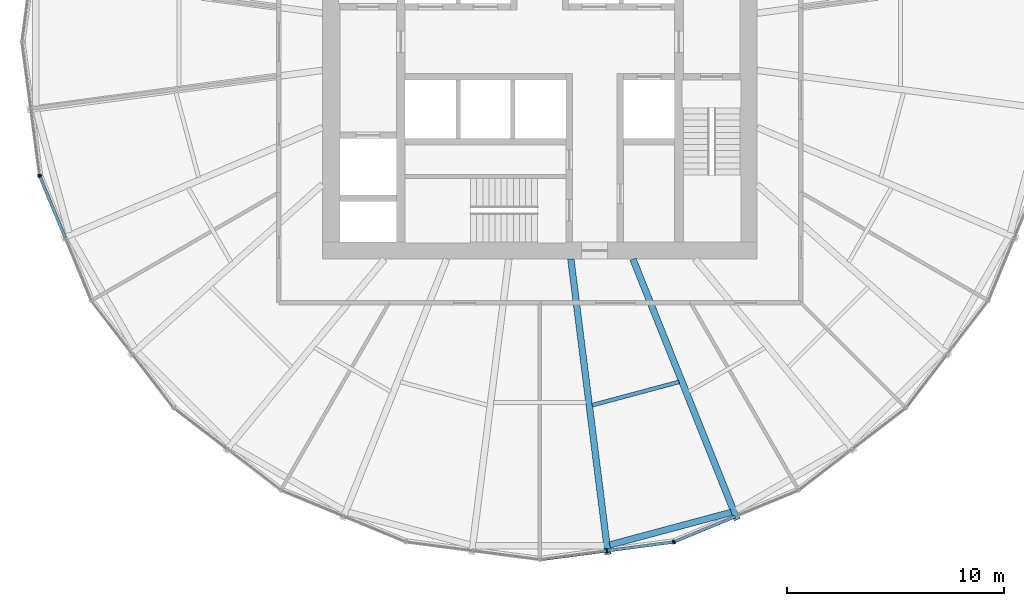
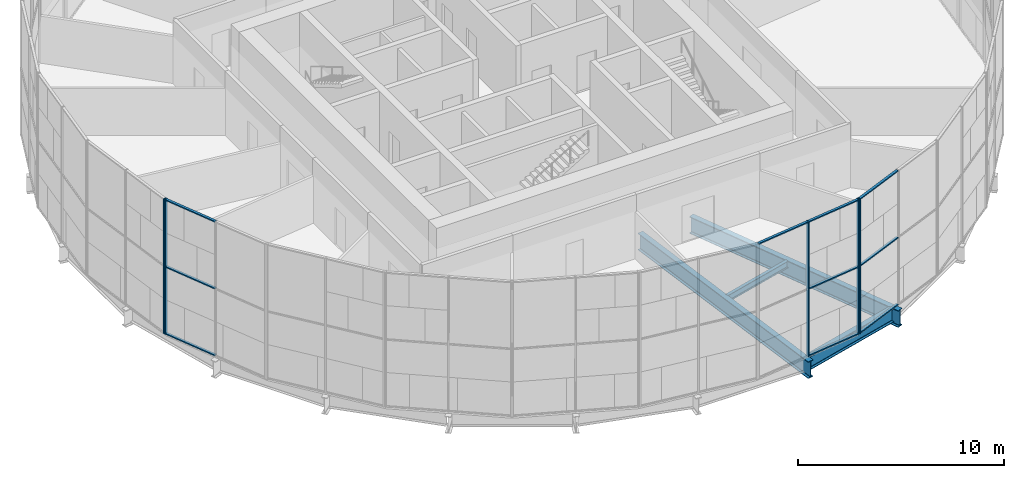
# One storey, part 2 of 18: 15 members, 4 beams, 4 elements without a shape of their own.
"""IFC4 building model written with IfcOpenShell, lengths in metres."""

from ifc_helpers import new_model, si_unit, direction, frame, origin, origin_2d, place, context, subcontext, project, spatial, rectangle, i_section, extrude, material, material_profile, profile_set, type_object, element, aggregate, save


model = new_model("IFC4")

# Units and contexts
model_context = context("Model", 3, precision=1e-05, world=origin(), true_north=direction((0.0, 1.0)))
body_context = subcontext(model_context, "Body", "Model", "MODEL_VIEW")
ifc_project = project(units=[si_unit("LENGTHUNIT", "METRE"), si_unit("AREAUNIT", "SQUARE_METRE"), si_unit("VOLUMEUNIT", "CUBIC_METRE"), si_unit("PLANEANGLEUNIT", "RADIAN"), si_unit("MASSUNIT", "GRAM", prefix="KILO")], contexts=[model_context])

# Site, building, storey
site_placement = place(None, origin())
site = spatial("IfcSite", under=ifc_project, at=site_placement, CompositionType="ELEMENT")
building_placement = place(site_placement, origin())
building = spatial("IfcBuilding", under=site, at=building_placement, Name="Golbaran Civic Tower", CompositionType="ELEMENT")
storey_placement = place(building_placement, frame((0.0, 0.0, 61.0)))
storey = spatial("IfcBuildingStorey", under=building, at=storey_placement, Name="L14", CompositionType="ELEMENT", Elevation=61.0)

# Beams
ifc_material_1 = material(Name="Steel S355", Category="steel")
ifc_material_profile_1 = material_profile(ifc_material_1, i_section(OverallWidth=0.300048828125, OverallDepth=0.800048828125, WebThickness=0.017578125, FlangeThickness=0.032958984375, FilletRadius=0.030029296875, at=origin_2d()), Name="HEB 800")
ifc_profile_set_1 = profile_set([ifc_material_profile_1], Name="Steel S355")
beam_type_1 = type_object("IfcBeamType", Name="EDGE BEAM HEB 800", PredefinedType="BEAM", material=ifc_profile_set_1)
beam_1_placement = place(storey_placement, frame((3.215576171875, -23.144287109375, -0.60009765625), z_axis=(0.965827642387, 0.259185194795, 0.0), x_axis=(-0.259185194795, 0.965827642387, 0.0)))
element("IfcBeam", 1, at=beam_1_placement, inside=storey, type_object=beam_type_1, Name="Edge beam 277.57 L14", PredefinedType="BEAM", context=body_context, shape_type="SweptSolid", body=[
    extrude(i_section(OverallWidth=0.300048828125, OverallDepth=0.800048828125, WebThickness=0.017578125, FlangeThickness=0.032958984375, FilletRadius=0.030029296875, at=origin_2d()), origin(), (0.0, 0.0, 1.0), 5.787353515625),
])
ifc_material_profile_2 = material_profile(ifc_material_1, i_section(OverallWidth=0.179931640625, OverallDepth=0.39990234375, WebThickness=0.008544921875, FlangeThickness=0.013427734375, FilletRadius=0.02099609375, at=origin_2d()), Name="IPE 400")
ifc_profile_set_2 = profile_set([ifc_material_profile_2], Name="Steel S355")
beam_type_2 = type_object("IfcBeamType", Name="FLOOR INFILL BEAM IPE 400", PredefinedType="BEAM", material=ifc_profile_set_2)
beam_2_placement = place(storey_placement, frame((2.40576171875, -16.716796875, -0.39990234375), z_axis=(0.965921990313, 0.258833360735, 0.0), x_axis=(-0.258833360735, 0.965921990313, 0.0)))
element("IfcBeam", 2, at=beam_2_placement, inside=storey, type_object=beam_type_2, Name="Infill beam 285.00 L14", PredefinedType="BEAM", context=body_context, shape_type="SweptSolid", body=[
    extrude(i_section(OverallWidth=0.179931640625, OverallDepth=0.39990234375, WebThickness=0.008544921875, FlangeThickness=0.013427734375, FilletRadius=0.02099609375, at=origin_2d()), origin(), (0.0, 0.0, 1.0), 4.139892578125),
])

# Curtain wall, member
ifc_material_2 = material(Name="Aluminium and glass", Category="aluminium")
curtain_wall_type = type_object("IfcCurtainWallType", Name="INNER SKIN CURTAIN WALL", PredefinedType="NOTDEFINED", material=ifc_material_2)
curtain_wall_1_placement = place(storey_placement, origin())
curtain_wall_1 = element("IfcCurtainWall", 3, at=curtain_wall_1_placement, inside=storey, type_object=curtain_wall_type, Name="Inner skin L14 facet 13 CW1", ObjectType="INNER SKIN", PredefinedType="USERDEFINED")
ifc_material_3 = material(Name="Aluminium", Category="aluminium")
ifc_material_profile_3 = material_profile(ifc_material_3, rectangle(XDim=0.179931640625, YDim=0.06494140625, at=origin_2d()), Name="INNER SKIN CURTAIN WALL MULLION")
ifc_profile_set_3 = profile_set([ifc_material_profile_3], Name="Aluminium")
member_type_1 = type_object("IfcMemberType", Name="INNER SKIN CURTAIN WALL MULLION", PredefinedType="MULLION", material=ifc_profile_set_3)
member_1_placement = place(storey_placement, frame((-23.009765625, -6.132080078125, 0.0), z_axis=(0.0, 0.0, 1.0), x_axis=(0.991444861378, 0.130526192185, 0.0)))
member_1 = element("IfcMember", 4, at=member_1_placement, type_object=member_type_1, Name="CW1 mullion 3", PredefinedType="MULLION", context=body_context, shape_type="SweptSolid", body=[
    extrude(rectangle(XDim=0.179931640625, YDim=0.06494140625, at=origin_2d()), origin(), (0.0, 0.0, 1.0), 8.0),
])
aggregate(curtain_wall_1, [member_1])

curtain_wall_2_placement = place(storey_placement, origin())
curtain_wall_2 = element("IfcCurtainWall", 5, at=curtain_wall_2_placement, inside=storey, type_object=curtain_wall_type, Name="Inner skin L14 facet 14 CW1", ObjectType="INNER SKIN", PredefinedType="USERDEFINED")
member_2_placement = place(storey_placement, frame((-22.992919921875, -6.1943359375, 0.0), z_axis=(0.0, 0.0, 1.0), x_axis=(0.923879532505, 0.382683432381, 0.0)))
member_2 = element("IfcMember", 6, at=member_2_placement, type_object=member_type_1, Name="CW1 mullion 1", PredefinedType="MULLION", context=body_context, shape_type="SweptSolid", body=[
    extrude(rectangle(XDim=0.179931640625, YDim=0.06494140625, at=origin_2d()), origin(), (0.0, 0.0, 1.0), 8.0),
])

# Curtain wall, members
curtain_wall_3_placement = place(storey_placement, origin())
curtain_wall_3 = element("IfcCurtainWall", 7, at=curtain_wall_3_placement, inside=storey, type_object=curtain_wall_type, Name="Inner skin L14 facet 19 CW1", ObjectType="INNER SKIN", PredefinedType="USERDEFINED")
member_3_placement = place(storey_placement, frame((3.08203125, -23.4111328125, 0.0), z_axis=(0.0, 0.0, 1.0), x_axis=(-0.130526192185, 0.991444861378, 0.0)))
member_3 = element("IfcMember", 8, at=member_3_placement, type_object=member_type_1, Name="CW1 mullion 2", PredefinedType="MULLION", context=body_context, shape_type="SweptSolid", body=[
    extrude(rectangle(XDim=0.179931640625, YDim=0.06494140625, at=origin_2d()), origin(), (0.0, 0.0, 1.0), 8.0),
])
member_4_placement = place(storey_placement, frame((6.132080078125, -23.009765625, 0.0), z_axis=(0.0, 0.0, 1.0), x_axis=(-0.130526192185, 0.991444861378, 0.0)))
member_4 = element("IfcMember", 9, at=member_4_placement, type_object=member_type_1, Name="CW1 mullion 3", PredefinedType="MULLION", context=body_context, shape_type="SweptSolid", body=[
    extrude(rectangle(XDim=0.179931640625, YDim=0.06494140625, at=origin_2d()), origin(), (0.0, 0.0, 1.0), 8.0),
])

# Curtain wall, member
curtain_wall_4_placement = place(storey_placement, origin())
curtain_wall_4 = element("IfcCurtainWall", 10, at=curtain_wall_4_placement, inside=storey, type_object=curtain_wall_type, Name="Inner skin L14 facet 20 CW1", ObjectType="INNER SKIN", PredefinedType="USERDEFINED")
member_5_placement = place(storey_placement, frame((6.1943359375, -22.992919921875, 0.0), z_axis=(0.0, 0.0, 1.0), x_axis=(-0.382683432381, 0.923879532505, 0.0)))
member_5 = element("IfcMember", 11, at=member_5_placement, type_object=member_type_1, Name="CW1 mullion 1", PredefinedType="MULLION", context=body_context, shape_type="SweptSolid", body=[
    extrude(rectangle(XDim=0.179931640625, YDim=0.06494140625, at=origin_2d()), origin(), (0.0, 0.0, 1.0), 8.0),
])

# Member
ifc_material_profile_4 = material_profile(ifc_material_3, rectangle(XDim=0.139892578125, YDim=0.06494140625, at=origin_2d()), Name="INNER SKIN CURTAIN WALL TRANSOM")
ifc_profile_set_4 = profile_set([ifc_material_profile_4], Name="Aluminium")
member_type_2 = type_object("IfcMemberType", Name="INNER SKIN CURTAIN WALL TRANSOM", PredefinedType="USERDEFINED", material=ifc_profile_set_4)
member_6_placement = place(storey_placement, frame((-22.98046875, -6.224365234375, 0.032470703125), z_axis=(0.382685955317, -0.923878487466, 0.0), x_axis=(0.923878487466, 0.382685955317, 0.0)))
member_6 = element("IfcMember", 12, at=member_6_placement, type_object=member_type_2, Name="CW1 transom 1.1", ObjectType="TRANSOM", PredefinedType="USERDEFINED", context=body_context, shape_type="SweptSolid", body=[
    extrude(rectangle(XDim=0.139892578125, YDim=0.06494140625, at=origin_2d()), origin(), (0.0, 0.0, 1.0), 3.01123046875),
])

member_7_placement = place(storey_placement, frame((-22.98046875, -6.224365234375, 4.0), z_axis=(0.382685955317, -0.923878487466, 0.0), x_axis=(0.923878487466, 0.382685955317, 0.0)))
member_7 = element("IfcMember", 13, at=member_7_placement, type_object=member_type_2, Name="CW1 transom 1.2", ObjectType="TRANSOM", PredefinedType="USERDEFINED", context=body_context, shape_type="SweptSolid", body=[
    extrude(rectangle(XDim=0.139892578125, YDim=0.06494140625, at=origin_2d()), origin(), (0.0, 0.0, 1.0), 3.01123046875),
])

member_8_placement = place(storey_placement, frame((-22.98046875, -6.224365234375, 7.967529296875), z_axis=(0.382685955317, -0.923878487466, 0.0), x_axis=(0.923878487466, 0.382685955317, 0.0)))
member_8 = element("IfcMember", 14, at=member_8_placement, type_object=member_type_2, Name="CW1 transom 1.3", ObjectType="TRANSOM", PredefinedType="USERDEFINED", context=body_context, shape_type="SweptSolid", body=[
    extrude(rectangle(XDim=0.139892578125, YDim=0.06494140625, at=origin_2d()), origin(), (0.0, 0.0, 1.0), 3.01123046875),
])

aggregate(curtain_wall_2, [member_2, member_6, member_7, member_8])

member_9_placement = place(storey_placement, frame((0.064453125, -23.80859375, 7.967529296875), z_axis=(0.991443253224, 0.130538406746, 0.0), x_axis=(-0.130538406746, 0.991443253224, 0.0)))
member_9 = element("IfcMember", 15, at=member_9_placement, type_object=member_type_2, Name="CW1 transom 1.3", ObjectType="TRANSOM", PredefinedType="USERDEFINED", context=body_context, shape_type="SweptSolid", body=[
    extrude(rectangle(XDim=0.139892578125, YDim=0.06494140625, at=origin_2d()), origin(), (0.0, 0.0, 1.0), 3.01123046875),
])

member_10_placement = place(storey_placement, frame((3.1142578125, -23.406982421875, 0.032470703125), z_axis=(0.991444634679, 0.130527914125, 0.0), x_axis=(-0.130527914125, 0.991444634679, 0.0)))
member_10 = element("IfcMember", 16, at=member_10_placement, type_object=member_type_2, Name="CW1 transom 2.1", ObjectType="TRANSOM", PredefinedType="USERDEFINED", context=body_context, shape_type="SweptSolid", body=[
    extrude(rectangle(XDim=0.139892578125, YDim=0.06494140625, at=origin_2d()), origin(), (0.0, 0.0, 1.0), 3.011474609375),
])

member_11_placement = place(storey_placement, frame((3.1142578125, -23.406982421875, 4.0), z_axis=(0.991444634679, 0.130527914125, 0.0), x_axis=(-0.130527914125, 0.991444634679, 0.0)))
member_11 = element("IfcMember", 17, at=member_11_placement, type_object=member_type_2, Name="CW1 transom 2.2", ObjectType="TRANSOM", PredefinedType="USERDEFINED", context=body_context, shape_type="SweptSolid", body=[
    extrude(rectangle(XDim=0.139892578125, YDim=0.06494140625, at=origin_2d()), origin(), (0.0, 0.0, 1.0), 3.011474609375),
])

member_12_placement = place(storey_placement, frame((3.1142578125, -23.406982421875, 7.967529296875), z_axis=(0.991444634679, 0.130527914125, 0.0), x_axis=(-0.130527914125, 0.991444634679, 0.0)))
member_12 = element("IfcMember", 18, at=member_12_placement, type_object=member_type_2, Name="CW1 transom 2.3", ObjectType="TRANSOM", PredefinedType="USERDEFINED", context=body_context, shape_type="SweptSolid", body=[
    extrude(rectangle(XDim=0.139892578125, YDim=0.06494140625, at=origin_2d()), origin(), (0.0, 0.0, 1.0), 3.011474609375),
])

aggregate(curtain_wall_3, [member_3, member_4, member_9, member_10, member_11, member_12])

member_13_placement = place(storey_placement, frame((6.224365234375, -22.98046875, 0.032470703125), z_axis=(0.923878487466, 0.382685955317, 0.0), x_axis=(-0.382685955317, 0.923878487466, 0.0)))
member_13 = element("IfcMember", 19, at=member_13_placement, type_object=member_type_2, Name="CW1 transom 1.1", ObjectType="TRANSOM", PredefinedType="USERDEFINED", context=body_context, shape_type="SweptSolid", body=[
    extrude(rectangle(XDim=0.139892578125, YDim=0.06494140625, at=origin_2d()), origin(), (0.0, 0.0, 1.0), 3.01123046875),
])

member_14_placement = place(storey_placement, frame((6.224365234375, -22.98046875, 4.0), z_axis=(0.923878487466, 0.382685955317, 0.0), x_axis=(-0.382685955317, 0.923878487466, 0.0)))
member_14 = element("IfcMember", 20, at=member_14_placement, type_object=member_type_2, Name="CW1 transom 1.2", ObjectType="TRANSOM", PredefinedType="USERDEFINED", context=body_context, shape_type="SweptSolid", body=[
    extrude(rectangle(XDim=0.139892578125, YDim=0.06494140625, at=origin_2d()), origin(), (0.0, 0.0, 1.0), 3.01123046875),
])

member_15_placement = place(storey_placement, frame((6.224365234375, -22.98046875, 7.967529296875), z_axis=(0.923878487466, 0.382685955317, 0.0), x_axis=(-0.382685955317, 0.923878487466, 0.0)))
member_15 = element("IfcMember", 21, at=member_15_placement, type_object=member_type_2, Name="CW1 transom 1.3", ObjectType="TRANSOM", PredefinedType="USERDEFINED", context=body_context, shape_type="SweptSolid", body=[
    extrude(rectangle(XDim=0.139892578125, YDim=0.06494140625, at=origin_2d()), origin(), (0.0, 0.0, 1.0), 3.01123046875),
])

aggregate(curtain_wall_4, [member_5, member_13, member_14, member_15])

# Beams
ifc_material_profile_5 = material_profile(ifc_material_1, i_section(OverallWidth=0.300048828125, OverallDepth=1.0, WebThickness=0.01904296875, FlangeThickness=0.035888671875, FilletRadius=0.030029296875, at=origin_2d()), Name="HEB 1000")
ifc_profile_set_5 = profile_set([ifc_material_profile_5], Name="Steel S355")
beam_type_3 = type_object("IfcBeamType", Name="RADIAL FLOOR BEAM HEB 1000", PredefinedType="BEAM", material=ifc_profile_set_5)
beam_3_placement = place(storey_placement, frame((1.428466796875, -10.0, -0.7099609375), z_axis=(0.124991624098, -0.992157796878, 0.0), x_axis=(0.992157796878, 0.124991624098, 0.0)))
element("IfcBeam", 22, at=beam_3_placement, inside=storey, type_object=beam_type_3, Name="Radial beam 277.57 L14", PredefinedType="BEAM", context=body_context, shape_type="SweptSolid", body=[
    extrude(i_section(OverallWidth=0.300048828125, OverallDepth=1.0, WebThickness=0.01904296875, FlangeThickness=0.035888671875, FilletRadius=0.030029296875, at=origin_2d()), origin(), (0.0, 0.0, 1.0), 13.6904296875),
])
beam_4_placement = place(storey_placement, frame((4.28564453125, -10.0, -0.7099609375), z_axis=(0.371511289323, -0.92842843661, 0.0), x_axis=(0.92842843661, 0.371511289323, 0.0)))
element("IfcBeam", 23, at=beam_4_placement, inside=storey, type_object=beam_type_3, Name="Radial beam 292.43 L14", PredefinedType="BEAM", context=body_context, shape_type="SweptSolid", body=[
    extrude(i_section(OverallWidth=0.300048828125, OverallDepth=1.0, WebThickness=0.01904296875, FlangeThickness=0.035888671875, FilletRadius=0.030029296875, at=origin_2d()), origin(), (0.0, 0.0, 1.0), 12.912353515625),
])

save(model, "model.ifc")
